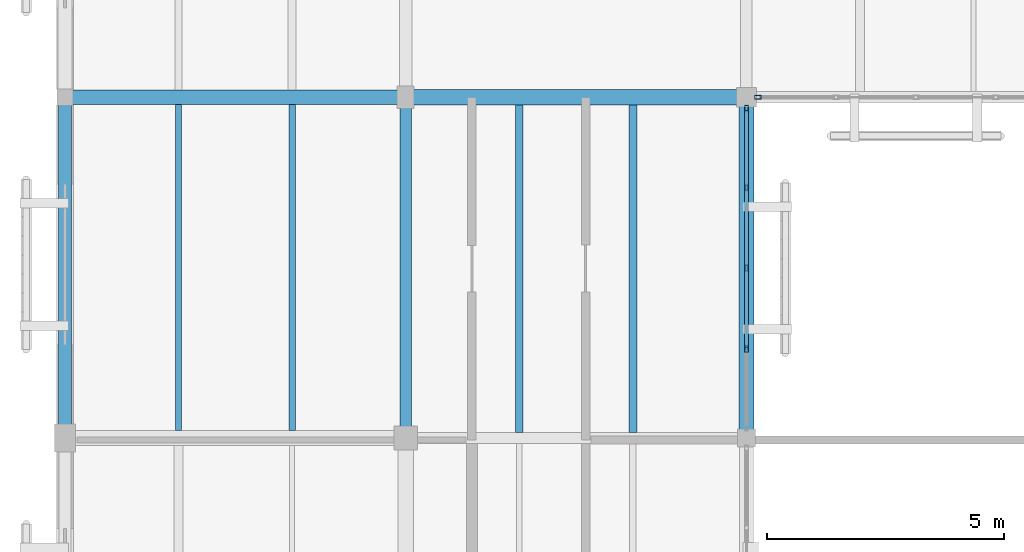
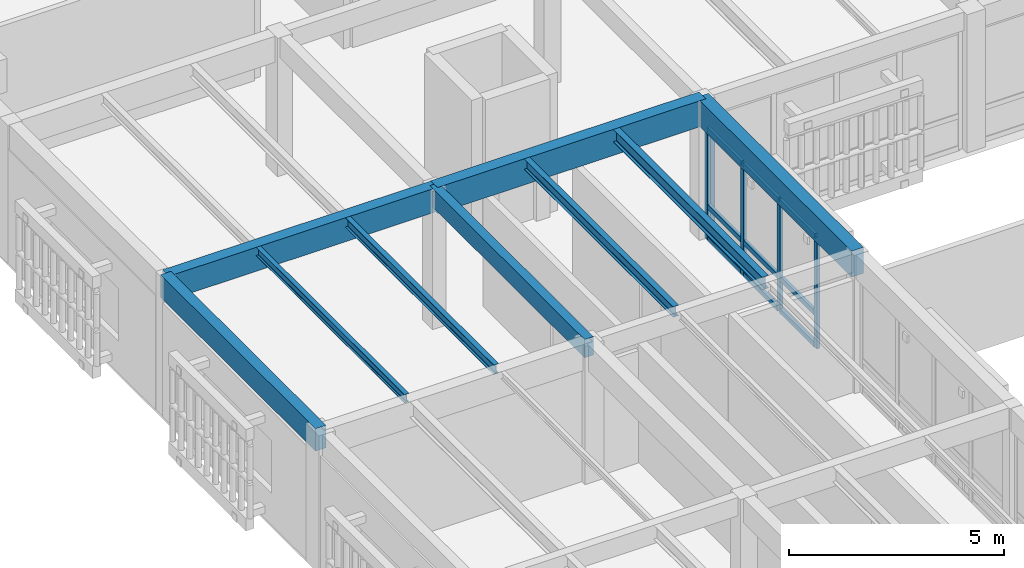
# One storey, part 31 of 112: 14 members, 9 beams, 2 elements without a shape of their own.
"""IFC4 building model written with IfcOpenShell, lengths in metres."""

from ifc_helpers import new_model, si_unit, direction, frame, origin, origin_2d, place, context, subcontext, project, spatial, rectangle, hollow_rectangle, i_section, extrude, material, layer, layer_set, material_profile, profile_set, type_object, element, aggregate, save


model = new_model("IFC4")

# Units and contexts
model_context = context("Model", 3, precision=1e-05, world=origin(), true_north=direction((0.0, 1.0)))
body_context = subcontext(model_context, "Body", "Model", "MODEL_VIEW")
ifc_project = project(units=[si_unit("LENGTHUNIT", "METRE"), si_unit("AREAUNIT", "SQUARE_METRE"), si_unit("VOLUMEUNIT", "CUBIC_METRE"), si_unit("PLANEANGLEUNIT", "RADIAN"), si_unit("MASSUNIT", "GRAM", prefix="KILO")], contexts=[model_context])

# Site, building, storey
site_placement = place(None, origin())
site = spatial("IfcSite", under=ifc_project, at=site_placement, CompositionType="ELEMENT")
building_placement = place(site_placement, origin())
building = spatial("IfcBuilding", under=site, at=building_placement, Name="Mazaris Harbour Polytechnic", CompositionType="ELEMENT")
storey_placement = place(building_placement, frame((0.0, 0.0, 13.800048828125)))
storey = spatial("IfcBuildingStorey", under=building, at=storey_placement, Name="L03", CompositionType="ELEMENT", Elevation=13.800048828125)

# Curtain wall, member
ifc_material_1 = material(Name="Anodised Bronze Aluminium and Low-E Glass", Category="aluminium")
ifc_layer = layer(ifc_material_1, 0.159912109375, Name="Anodised Bronze Aluminium and Low-E Glass")
ifc_layer_set = layer_set([ifc_layer], Name="Anodised Bronze Aluminium and Low-E Glass")
curtain_wall_type = type_object("IfcCurtainWallType", Name="Cloister Court Curtain Wall", PredefinedType="NOTDEFINED", material=ifc_layer_set)
curtain_wall_1_placement = place(storey_placement, origin())
curtain_wall_1 = element("IfcCurtainWall", 1, at=curtain_wall_1_placement, inside=storey, type_object=curtain_wall_type, Name="V4 L03 Curtain Wall 152", PredefinedType="NOTDEFINED")
ifc_material_2 = material(Name="Anodised Bronze Steel S355", Category="steel")
ifc_material_profile_1 = material_profile(ifc_material_2, hollow_rectangle(XDim=0.080078125, YDim=0.139892578125, WallThickness=0.00634765625, at=origin_2d()), Name="RHS 80x140x6.3")
ifc_profile_set_1 = profile_set([ifc_material_profile_1], Name="Anodised Bronze Steel S355")
member_type_1 = type_object("IfcMemberType", Name="Curtain Mullion RHS80x140", PredefinedType="MULLION", material=ifc_profile_set_1)
member_1_placement = place(storey_placement, frame((14.64208984375, 68.39990234375, 0.0), z_axis=(0.0, 0.0, 1.0), x_axis=(0.0, -1.0, 0.0)))
member_1 = element("IfcMember", 2, at=member_1_placement, type_object=member_type_1, Name="CW-02 mullion 5", PredefinedType="MULLION", context=body_context, shape_type="SweptSolid", body=[
    extrude(hollow_rectangle(XDim=0.080078125, YDim=0.139892578125, WallThickness=0.00634765625, at=origin_2d()), origin(), (0.0, 0.0, 1.0), 3.389892578125),
])
aggregate(curtain_wall_1, [member_1])

# Curtain wall, members
curtain_wall_2_placement = place(storey_placement, origin())
curtain_wall_2 = element("IfcCurtainWall", 3, at=curtain_wall_2_placement, inside=storey, type_object=curtain_wall_type, Name="V4 L03 Curtain Wall 157", PredefinedType="NOTDEFINED")
member_2_placement = place(storey_placement, frame((14.39990234375, 63.0859375, 0.0), z_axis=(0.0, 0.0, 1.0), x_axis=(-1.0, 0.0, 0.0)))
member_2 = element("IfcMember", 4, at=member_2_placement, type_object=member_type_1, Name="CW-02 mullion 2", PredefinedType="MULLION", context=body_context, shape_type="SweptSolid", body=[
    extrude(hollow_rectangle(XDim=0.080078125, YDim=0.139892578125, WallThickness=0.00634765625, at=origin_2d()), origin(), (0.0, 0.0, 1.0), 3.169921875),
])
member_3_placement = place(storey_placement, frame((14.39990234375, 64.7900390625, 0.0), z_axis=(0.0, 0.0, 1.0), x_axis=(-1.0, 0.0, 0.0)))
member_3 = element("IfcMember", 5, at=member_3_placement, type_object=member_type_1, Name="CW-02 mullion 3", PredefinedType="MULLION", context=body_context, shape_type="SweptSolid", body=[
    extrude(hollow_rectangle(XDim=0.080078125, YDim=0.139892578125, WallThickness=0.00634765625, at=origin_2d()), origin(), (0.0, 0.0, 1.0), 3.169921875),
])
member_4_placement = place(storey_placement, frame((14.39990234375, 66.493896484375, 0.0), z_axis=(0.0, 0.0, 1.0), x_axis=(-1.0, 0.0, 0.0)))
member_4 = element("IfcMember", 6, at=member_4_placement, type_object=member_type_1, Name="CW-02 mullion 4", PredefinedType="MULLION", context=body_context, shape_type="SweptSolid", body=[
    extrude(hollow_rectangle(XDim=0.080078125, YDim=0.139892578125, WallThickness=0.00634765625, at=origin_2d()), origin(), (0.0, 0.0, 1.0), 3.169921875),
])
member_5_placement = place(storey_placement, frame((14.39990234375, 68.157958984375, 0.0), z_axis=(0.0, 0.0, 1.0), x_axis=(-1.0, 0.0, 0.0)))
member_5 = element("IfcMember", 7, at=member_5_placement, type_object=member_type_1, Name="CW-02 mullion 5", PredefinedType="MULLION", context=body_context, shape_type="SweptSolid", body=[
    extrude(hollow_rectangle(XDim=0.080078125, YDim=0.139892578125, WallThickness=0.00634765625, at=origin_2d()), origin(), (0.0, 0.0, 1.0), 3.169921875),
])
ifc_material_3 = material(Name="Anodised Bronze Steel S355", Category="steel")
ifc_material_profile_2 = material_profile(ifc_material_3, hollow_rectangle(XDim=0.080078125, YDim=0.139892578125, WallThickness=0.00634765625, at=origin_2d()), Name="RHS 80x140x6.3")
ifc_profile_set_2 = profile_set([ifc_material_profile_2], Name="Anodised Bronze Steel S355")
member_type_2 = type_object("IfcMemberType", Name="Curtain Transom RHS80x140", PredefinedType="USERDEFINED", material=ifc_profile_set_2)
member_6_placement = place(storey_placement, frame((14.39990234375, 63.1259765625, 0.0400390625), z_axis=(0.0, 1.0, 0.0), x_axis=(-1.0, 0.0, 0.0)))
member_6 = element("IfcMember", 8, at=member_6_placement, type_object=member_type_2, Name="CW-02 transom 2.1", ObjectType="TRANSOM", PredefinedType="USERDEFINED", context=body_context, shape_type="SweptSolid", body=[
    extrude(hollow_rectangle(XDim=0.080078125, YDim=0.139892578125, WallThickness=0.00634765625, at=origin_2d()), origin(), (0.0, 0.0, 1.0), 1.6240234375),
])
member_7_placement = place(storey_placement, frame((14.39990234375, 63.1259765625, 0.949951171875), z_axis=(0.0, 1.0, 0.0), x_axis=(-1.0, 0.0, 0.0)))
member_7 = element("IfcMember", 9, at=member_7_placement, type_object=member_type_2, Name="CW-02 transom 2.2", ObjectType="TRANSOM", PredefinedType="USERDEFINED", context=body_context, shape_type="SweptSolid", body=[
    extrude(hollow_rectangle(XDim=0.080078125, YDim=0.139892578125, WallThickness=0.00634765625, at=origin_2d()), origin(), (0.0, 0.0, 1.0), 1.6240234375),
])
member_8_placement = place(storey_placement, frame((14.39990234375, 63.1259765625, 3.1298828125), z_axis=(0.0, 1.0, 0.0), x_axis=(-1.0, 0.0, 0.0)))
member_8 = element("IfcMember", 10, at=member_8_placement, type_object=member_type_2, Name="CW-02 transom 2.3", ObjectType="TRANSOM", PredefinedType="USERDEFINED", context=body_context, shape_type="SweptSolid", body=[
    extrude(hollow_rectangle(XDim=0.080078125, YDim=0.139892578125, WallThickness=0.00634765625, at=origin_2d()), origin(), (0.0, 0.0, 1.0), 1.6240234375),
])
member_9_placement = place(storey_placement, frame((14.39990234375, 64.830078125, 0.0400390625), z_axis=(0.0, 1.0, 0.0), x_axis=(-1.0, 0.0, 0.0)))
member_9 = element("IfcMember", 11, at=member_9_placement, type_object=member_type_2, Name="CW-02 transom 3.1", ObjectType="TRANSOM", PredefinedType="USERDEFINED", context=body_context, shape_type="SweptSolid", body=[
    extrude(hollow_rectangle(XDim=0.080078125, YDim=0.139892578125, WallThickness=0.00634765625, at=origin_2d()), origin(), (0.0, 0.0, 1.0), 1.6240234375),
])
member_10_placement = place(storey_placement, frame((14.39990234375, 64.830078125, 0.949951171875), z_axis=(0.0, 1.0, 0.0), x_axis=(-1.0, 0.0, 0.0)))
member_10 = element("IfcMember", 12, at=member_10_placement, type_object=member_type_2, Name="CW-02 transom 3.2", ObjectType="TRANSOM", PredefinedType="USERDEFINED", context=body_context, shape_type="SweptSolid", body=[
    extrude(hollow_rectangle(XDim=0.080078125, YDim=0.139892578125, WallThickness=0.00634765625, at=origin_2d()), origin(), (0.0, 0.0, 1.0), 1.6240234375),
])
member_11_placement = place(storey_placement, frame((14.39990234375, 64.830078125, 3.1298828125), z_axis=(0.0, 1.0, 0.0), x_axis=(-1.0, 0.0, 0.0)))
member_11 = element("IfcMember", 13, at=member_11_placement, type_object=member_type_2, Name="CW-02 transom 3.3", ObjectType="TRANSOM", PredefinedType="USERDEFINED", context=body_context, shape_type="SweptSolid", body=[
    extrude(hollow_rectangle(XDim=0.080078125, YDim=0.139892578125, WallThickness=0.00634765625, at=origin_2d()), origin(), (0.0, 0.0, 1.0), 1.6240234375),
])
member_12_placement = place(storey_placement, frame((14.39990234375, 66.533935546875, 0.0400390625), z_axis=(0.0, 1.0, 0.0), x_axis=(-1.0, 0.0, 0.0)))
member_12 = element("IfcMember", 14, at=member_12_placement, type_object=member_type_2, Name="CW-02 transom 4.1", ObjectType="TRANSOM", PredefinedType="USERDEFINED", context=body_context, shape_type="SweptSolid", body=[
    extrude(hollow_rectangle(XDim=0.080078125, YDim=0.139892578125, WallThickness=0.00634765625, at=origin_2d()), origin(), (0.0, 0.0, 1.0), 1.583984375),
])
member_13_placement = place(storey_placement, frame((14.39990234375, 66.533935546875, 0.949951171875), z_axis=(0.0, 1.0, 0.0), x_axis=(-1.0, 0.0, 0.0)))
member_13 = element("IfcMember", 15, at=member_13_placement, type_object=member_type_2, Name="CW-02 transom 4.2", ObjectType="TRANSOM", PredefinedType="USERDEFINED", context=body_context, shape_type="SweptSolid", body=[
    extrude(hollow_rectangle(XDim=0.080078125, YDim=0.139892578125, WallThickness=0.00634765625, at=origin_2d()), origin(), (0.0, 0.0, 1.0), 1.583984375),
])
member_14_placement = place(storey_placement, frame((14.39990234375, 66.533935546875, 3.1298828125), z_axis=(0.0, 1.0, 0.0), x_axis=(-1.0, 0.0, 0.0)))
member_14 = element("IfcMember", 16, at=member_14_placement, type_object=member_type_2, Name="CW-02 transom 4.3", ObjectType="TRANSOM", PredefinedType="USERDEFINED", context=body_context, shape_type="SweptSolid", body=[
    extrude(hollow_rectangle(XDim=0.080078125, YDim=0.139892578125, WallThickness=0.00634765625, at=origin_2d()), origin(), (0.0, 0.0, 1.0), 1.583984375),
])
aggregate(curtain_wall_2, [member_2, member_3, member_4, member_5, member_6, member_7, member_8, member_9, member_10, member_11, member_12, member_13, member_14])

# Beams
ifc_material_4 = material(Name="Glulam GL32h", Category="wood")
ifc_material_profile_3 = material_profile(ifc_material_4, rectangle(XDim=0.239990234375, YDim=0.52001953125, at=origin_2d()), Name="RECT240x520")
ifc_profile_set_3 = profile_set([ifc_material_profile_3], Name="Glulam GL32h")
beam_type_1 = type_object("IfcBeamType", Name="Glulam Girder 240x520", PredefinedType="BEAM", material=ifc_profile_set_3)
beam_1_placement = place(storey_placement, frame((7.199951171875, 61.199951171875, 3.659912109375), z_axis=(0.0, 1.0, 0.0), x_axis=(-1.0, 0.0, 0.0)))
element("IfcBeam", 17, at=beam_1_placement, inside=storey, type_object=beam_type_1, Name="V4 L03 Tie Girder 2235", PredefinedType="BEAM", context=body_context, shape_type="SweptSolid", body=[
    extrude(rectangle(XDim=0.239990234375, YDim=0.52001953125, at=origin_2d()), origin(), (0.0, 0.0, 1.0), 7.199951171875),
])
ifc_material_5 = material(Name="Glulam GL32h", Category="wood")
ifc_material_profile_4 = material_profile(ifc_material_5, rectangle(XDim=0.280029296875, YDim=0.639892578125, at=origin_2d()), Name="RECT280x640")
ifc_profile_set_4 = profile_set([ifc_material_profile_4], Name="Glulam GL32h")
beam_type_2 = type_object("IfcBeamType", Name="Glulam Girder 280x640 Exterior", PredefinedType="BEAM", material=ifc_profile_set_4)
beam_2_placement = place(storey_placement, frame((0.0, 61.199951171875, 3.599853515625), z_axis=(0.0, 1.0, 0.0), x_axis=(-1.0, 0.0, 0.0)))
element("IfcBeam", 18, at=beam_2_placement, inside=storey, type_object=beam_type_2, Name="V4 L03 Tie Girder 2227", PredefinedType="BEAM", context=body_context, shape_type="SweptSolid", body=[
    extrude(rectangle(XDim=0.280029296875, YDim=0.639892578125, at=origin_2d()), origin(), (0.0, 0.0, 1.0), 7.199951171875),
])
ifc_material_6 = material(Name="Glulam GL32h", Category="wood")
ifc_material_profile_5 = material_profile(ifc_material_6, rectangle(XDim=0.300048828125, YDim=0.679931640625, at=origin_2d()), Name="RECT300x680")
ifc_profile_set_5 = profile_set([ifc_material_profile_5], Name="Glulam GL32h")
beam_type_3 = type_object("IfcBeamType", Name="Glulam Girder 300x680", PredefinedType="BEAM", material=ifc_profile_set_5)
beam_3_placement = place(storey_placement, frame((0.0, 68.39990234375, 3.579833984375), z_axis=(1.0, 0.0, 0.0), x_axis=(0.0, 1.0, 0.0)))
element("IfcBeam", 19, at=beam_3_placement, inside=storey, type_object=beam_type_3, Name="V4 L03 Girder 2208", PredefinedType="BEAM", context=body_context, shape_type="SweptSolid", body=[
    extrude(rectangle(XDim=0.300048828125, YDim=0.679931640625, at=origin_2d()), origin(), (0.0, 0.0, 1.0), 7.199951171875),
])
ifc_material_7 = material(Name="Glulam GL32h", Category="wood")
ifc_material_profile_6 = material_profile(ifc_material_7, rectangle(XDim=0.320068359375, YDim=0.739990234375, at=origin_2d()), Name="RECT320x740")
ifc_profile_set_6 = profile_set([ifc_material_profile_6], Name="Glulam GL32h")
beam_type_4 = type_object("IfcBeamType", Name="Glulam Girder 320x740", PredefinedType="BEAM", material=ifc_profile_set_6)
for number, where, z_axis, x_axis, name in (
    (20, (7.199951171875, 68.39990234375, 3.550048828125), (1.0, 0.0, 0.0), (0.0, 1.0, 0.0), "V4 L03 Girder 2209"),
    (21, (14.39990234375, 61.199951171875, 3.550048828125), (0.0, 1.0, 0.0), (-1.0, 0.0, 0.0), "V4 L03 Tie Girder 2244"),
):
    element("IfcBeam", number, at=place(storey_placement, frame(where, z_axis=z_axis, x_axis=x_axis)), inside=storey, type_object=beam_type_4, Name=name, PredefinedType="BEAM", context=body_context, shape_type="SweptSolid", body=[
        extrude(rectangle(XDim=0.320068359375, YDim=0.739990234375, at=origin_2d()), origin(), (0.0, 0.0, 1.0), 7.199951171875),
    ])
ifc_material_8 = material(Name="Steel S355", Category="steel")
ifc_material_profile_7 = material_profile(ifc_material_8, i_section(OverallWidth=0.1201171875, OverallDepth=0.239990234375, WebThickness=0.006103515625, FlangeThickness=0.009765625, FilletRadius=0.014892578125, at=origin_2d()), Name="IPE 240")
ifc_profile_set_7 = profile_set([ifc_material_profile_7], Name="Steel S355")
beam_type_5 = type_object("IfcBeamType", Name="Steel Joist IPE240", PredefinedType="JOIST", material=ifc_profile_set_7)
beam_4_placement = place(storey_placement, frame((2.39990234375, 61.360107421875, 3.800048828125), z_axis=(0.0, 1.0, 0.0), x_axis=(-1.0, 0.0, 0.0)))
element("IfcBeam", 22, at=beam_4_placement, inside=storey, type_object=beam_type_5, Name="V4 L03 Floor Joist 2290", PredefinedType="JOIST", context=body_context, shape_type="SweptSolid", body=[
    extrude(i_section(OverallWidth=0.1201171875, OverallDepth=0.239990234375, WebThickness=0.006103515625, FlangeThickness=0.009765625, FilletRadius=0.014892578125, at=origin_2d()), origin(), (0.0, 0.0, 1.0), 6.889892578125),
])
ifc_material_9 = material(Name="Steel S355", Category="steel")
ifc_material_profile_8 = material_profile(ifc_material_9, i_section(OverallWidth=0.135009765625, OverallDepth=0.27001953125, WebThickness=0.006591796875, FlangeThickness=0.01025390625, FilletRadius=0.014892578125, at=origin_2d()), Name="IPE 270")
ifc_profile_set_8 = profile_set([ifc_material_profile_8], Name="Steel S355")
beam_type_6 = type_object("IfcBeamType", Name="Steel Joist IPE270", PredefinedType="JOIST", material=ifc_profile_set_8)
beam_5_placement = place(storey_placement, frame((4.800048828125, 61.360107421875, 3.784912109375), z_axis=(0.0, 1.0, 0.0), x_axis=(-1.0, 0.0, 0.0)))
element("IfcBeam", 23, at=beam_5_placement, inside=storey, type_object=beam_type_6, Name="V4 L03 Floor Joist 2291", PredefinedType="JOIST", context=body_context, shape_type="SweptSolid", body=[
    extrude(i_section(OverallWidth=0.135009765625, OverallDepth=0.27001953125, WebThickness=0.006591796875, FlangeThickness=0.01025390625, FilletRadius=0.014892578125, at=origin_2d()), origin(), (0.0, 0.0, 1.0), 6.889892578125),
])
ifc_material_10 = material(Name="Steel S355", Category="steel")
ifc_material_profile_9 = material_profile(ifc_material_10, i_section(OverallWidth=0.14990234375, OverallDepth=0.300048828125, WebThickness=0.007080078125, FlangeThickness=0.0107421875, FilletRadius=0.014892578125, at=origin_2d()), Name="IPE 300")
ifc_profile_set_9 = profile_set([ifc_material_profile_9], Name="Steel S355")
beam_type_7 = type_object("IfcBeamType", Name="Steel Joist IPE300", PredefinedType="JOIST", material=ifc_profile_set_9)
beam_6_placement = place(storey_placement, frame((9.60009765625, 61.320068359375, 3.77001953125), z_axis=(0.0, 1.0, 0.0), x_axis=(-1.0, 0.0, 0.0)))
element("IfcBeam", 24, at=beam_6_placement, inside=storey, type_object=beam_type_7, Name="V4 L03 Floor Joist 2306", PredefinedType="JOIST", context=body_context, shape_type="SweptSolid", body=[
    extrude(i_section(OverallWidth=0.14990234375, OverallDepth=0.300048828125, WebThickness=0.007080078125, FlangeThickness=0.0107421875, FilletRadius=0.014892578125, at=origin_2d()), origin(), (0.0, 0.0, 1.0), 6.919921875),
])
ifc_material_11 = material(Name="Steel S355", Category="steel")
ifc_material_profile_10 = material_profile(ifc_material_11, i_section(OverallWidth=0.169921875, OverallDepth=0.360107421875, WebThickness=0.008056640625, FlangeThickness=0.0126953125, FilletRadius=0.01806640625, at=origin_2d()), Name="IPE 360")
ifc_profile_set_10 = profile_set([ifc_material_profile_10], Name="Steel S355")
beam_type_8 = type_object("IfcBeamType", Name="Steel Joist IPE360", PredefinedType="JOIST", material=ifc_profile_set_10)
beam_7_placement = place(storey_placement, frame((12.0, 61.320068359375, 3.739990234375), z_axis=(0.0, 1.0, 0.0), x_axis=(-1.0, 0.0, 0.0)))
element("IfcBeam", 25, at=beam_7_placement, inside=storey, type_object=beam_type_8, Name="V4 L03 Floor Joist 2307", PredefinedType="JOIST", context=body_context, shape_type="SweptSolid", body=[
    extrude(i_section(OverallWidth=0.169921875, OverallDepth=0.360107421875, WebThickness=0.008056640625, FlangeThickness=0.0126953125, FilletRadius=0.01806640625, at=origin_2d()), origin(), (0.0, 0.0, 1.0), 6.919921875),
])

save(model, "model.ifc")
